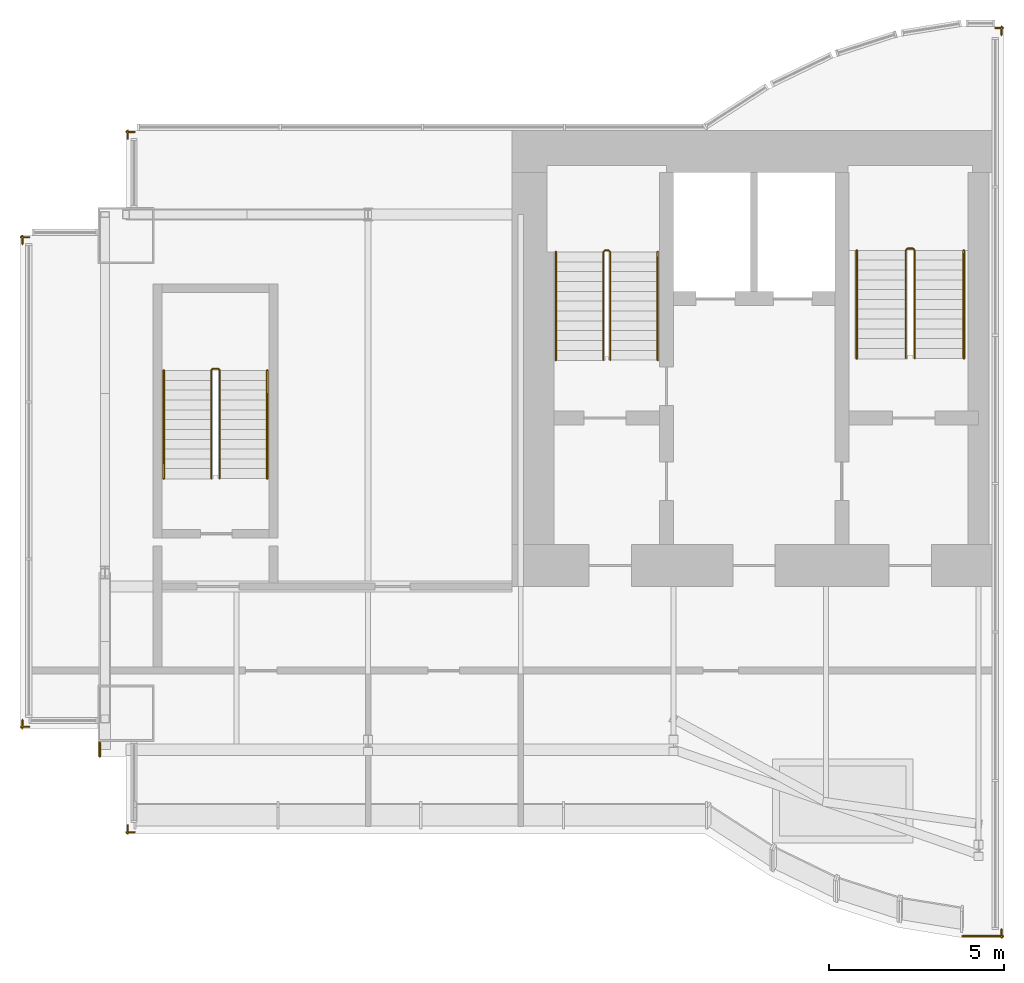
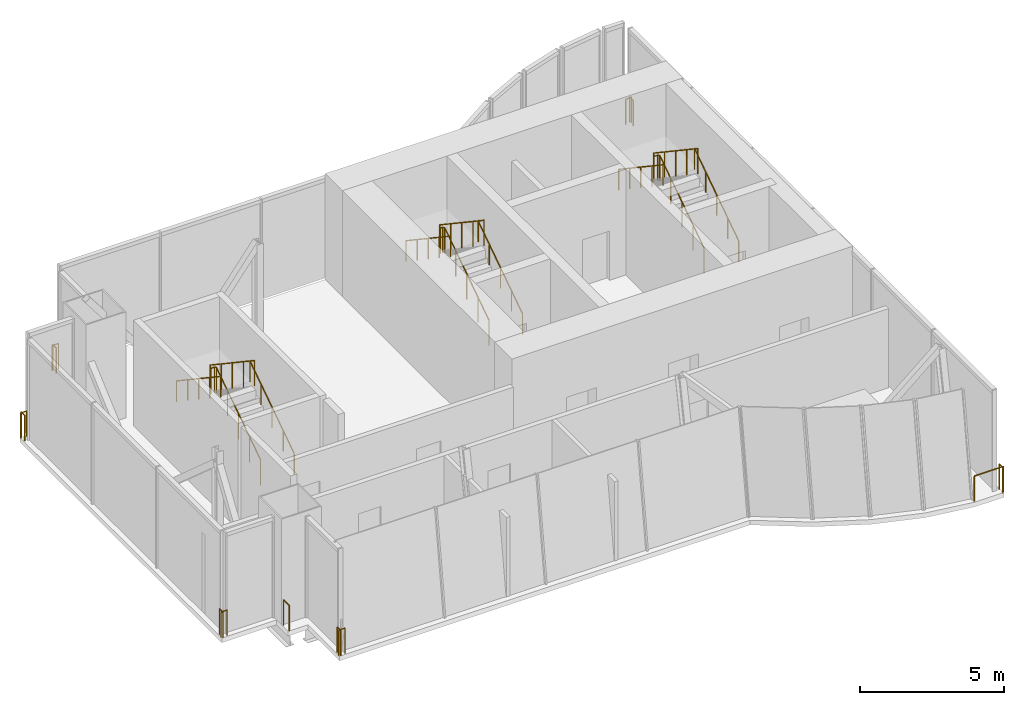
# One storey, part 5 of 6: 16 railings.
"""IFC4 building model written with IfcOpenShell, lengths in metres."""

from ifc_helpers import new_model, si_unit, direction, frame, origin, origin_2d, place, context, subcontext, project, spatial, circle, extrude, material, type_object, element, save


model = new_model("IFC4")

# Units and contexts
model_context = context("Model", 3, precision=1e-05, world=origin(), true_north=direction((0.0, 1.0)))
body_context = subcontext(model_context, "Body", "Model", "MODEL_VIEW")
ifc_project = project(units=[si_unit("LENGTHUNIT", "METRE"), si_unit("AREAUNIT", "SQUARE_METRE"), si_unit("VOLUMEUNIT", "CUBIC_METRE"), si_unit("PLANEANGLEUNIT", "RADIAN"), si_unit("MASSUNIT", "GRAM", prefix="KILO")], contexts=[model_context])

# Site, building, storey
site_placement = place(None, origin())
site = spatial("IfcSite", under=ifc_project, at=site_placement, CompositionType="ELEMENT")
building_placement = place(site_placement, origin())
building = spatial("IfcBuilding", under=site, at=building_placement, Name="Bicima Exchange Tower", CompositionType="ELEMENT")
storey_placement = place(building_placement, frame((0.0, 0.0, 370.39990234375)))
storey = spatial("IfcBuildingStorey", under=building, at=storey_placement, Name="L83", CompositionType="ELEMENT", Elevation=370.39990234375)

# Railings
ifc_material_1 = material(Name="Stainless steel and bonded safety glass", Category="steel")
railing_type_1 = type_object("IfcRailingType", Name="Edge guard 1100", PredefinedType="GUARDRAIL", material=ifc_material_1)
railing_1_placement = place(storey_placement, frame((-35.756103515625, -17.0, 0.0)))
element("IfcRailing", 1, at=railing_1_placement, inside=storey, type_object=railing_type_1, Name="Edge guard L83 459", PredefinedType="GUARDRAIL", context=body_context, shape_type="SweptSolid", body=[
    extrude(circle(Radius=0.02392578125, at=origin_2d()), frame((0.0, 0.0, 1.076171875), z_axis=(-1.0, 0.0, 0.0), x_axis=(0.0, -1.0, 0.0)), (0.0, 0.0, 1.0), 0.243896484375),
    extrude(circle(Radius=0.02392578125, at=origin_2d()), frame((-0.243896484375, 0.0, 1.076171875), z_axis=(0.707106781187, -0.707106781187, 0.0), x_axis=(0.707106781187, 0.707106781187, 0.0)), (0.0, 0.0, 1.0), 0.07080078125),
    extrude(circle(Radius=0.02392578125, at=origin_2d()), frame((-0.19384765625, -0.050048828125, 1.076171875), z_axis=(0.0, 1.0, 0.0), x_axis=(-1.0, 0.0, 0.0)), (0.0, 0.0, 1.0), 0.2470703125),
    extrude(circle(Radius=0.02099609375, at=origin_2d()), origin(), (0.0, 0.0, 1.0), 1.052001953125),
    extrude(circle(Radius=0.02099609375, at=origin_2d()), frame((-0.243896484375, 0.0, 0.0)), (0.0, 0.0, 1.0), 1.052001953125),
    extrude(circle(Radius=0.02099609375, at=origin_2d()), frame((-0.19384765625, -0.050048828125, 0.0)), (0.0, 0.0, 1.0), 1.052001953125),
    extrude(circle(Radius=0.02099609375, at=origin_2d()), frame((-0.19384765625, 0.197021484375, 0.0)), (0.0, 0.0, 1.0), 1.052001953125),
])
railing_2_placement = place(storey_placement, frame((-35.949951171875, -3.24609375, 0.0)))
element("IfcRailing", 2, at=railing_2_placement, inside=storey, type_object=railing_type_1, Name="Edge guard L83 460", PredefinedType="GUARDRAIL", context=body_context, shape_type="SweptSolid", body=[
    extrude(circle(Radius=0.02392578125, at=origin_2d()), frame((0.0, 0.0, 1.076171875), z_axis=(0.0, 1.0, 0.0), x_axis=(-1.0, 0.0, 0.0)), (0.0, 0.0, 1.0), 0.24609375),
    extrude(circle(Radius=0.02392578125, at=origin_2d()), frame((0.0, 0.24609375, 1.076171875), z_axis=(-0.707106781187, -0.707106781187, 0.0), x_axis=(0.707106781187, -0.707106781187, 0.0)), (0.0, 0.0, 1.0), 0.07080078125),
    extrude(circle(Radius=0.02392578125, at=origin_2d()), frame((-0.050048828125, 0.196044921875, 1.076171875), z_axis=(1.0, 0.0, 0.0), x_axis=(0.0, 1.0, 0.0)), (0.0, 0.0, 1.0), 0.243896484375),
    extrude(circle(Radius=0.02099609375, at=origin_2d()), origin(), (0.0, 0.0, 1.0), 1.052001953125),
    extrude(circle(Radius=0.02099609375, at=origin_2d()), frame((0.0, 0.24609375, 0.0)), (0.0, 0.0, 1.0), 1.052001953125),
    extrude(circle(Radius=0.02099609375, at=origin_2d()), frame((-0.050048828125, 0.196044921875, 0.0)), (0.0, 0.0, 1.0), 1.052001953125),
    extrude(circle(Radius=0.02099609375, at=origin_2d()), frame((0.19384765625, 0.196044921875, 0.0)), (0.0, 0.0, 1.0), 1.052001953125),
])
railing_3_placement = place(storey_placement, frame((-32.949951171875, -0.243896484375, 0.0)))
element("IfcRailing", 3, at=railing_3_placement, inside=storey, type_object=railing_type_1, Name="Edge guard L83 461", PredefinedType="GUARDRAIL", context=body_context, shape_type="SweptSolid", body=[
    extrude(circle(Radius=0.02392578125, at=origin_2d()), frame((0.0, 0.0, 1.076171875), z_axis=(0.0, 1.0, 0.0), x_axis=(-1.0, 0.0, 0.0)), (0.0, 0.0, 1.0), 0.243896484375),
    extrude(circle(Radius=0.02392578125, at=origin_2d()), frame((0.0, 0.243896484375, 1.076171875), z_axis=(-0.707106781187, -0.707106781187, 0.0), x_axis=(0.707106781187, -0.707106781187, 0.0)), (0.0, 0.0, 1.0), 0.07080078125),
    extrude(circle(Radius=0.02392578125, at=origin_2d()), frame((-0.050048828125, 0.19384765625, 1.076171875), z_axis=(1.0, 0.0, 0.0), x_axis=(0.0, 1.0, 0.0)), (0.0, 0.0, 1.0), 0.25),
    extrude(circle(Radius=0.02099609375, at=origin_2d()), origin(), (0.0, 0.0, 1.0), 1.052001953125),
    extrude(circle(Radius=0.02099609375, at=origin_2d()), frame((0.0, 0.243896484375, 0.0)), (0.0, 0.0, 1.0), 1.052001953125),
    extrude(circle(Radius=0.02099609375, at=origin_2d()), frame((-0.050048828125, 0.19384765625, 0.0)), (0.0, 0.0, 1.0), 1.052001953125),
    extrude(circle(Radius=0.02099609375, at=origin_2d()), frame((0.199951171875, 0.19384765625, 0.0)), (0.0, 0.0, 1.0), 1.052001953125),
])
railing_4_placement = place(storey_placement, frame((-8.23291015625, 2.9130859375, 0.0)))
element("IfcRailing", 4, at=railing_4_placement, inside=storey, type_object=railing_type_1, Name="Edge guard L83 462", PredefinedType="GUARDRAIL", context=body_context, shape_type="SweptSolid", body=[
    extrude(circle(Radius=0.02392578125, at=origin_2d()), frame((0.0, 0.0, 1.076171875), z_axis=(1.0, 0.0, 0.0), x_axis=(0.0, 1.0, 0.0)), (0.0, 0.0, 1.0), 0.23291015625),
    extrude(circle(Radius=0.02392578125, at=origin_2d()), frame((0.23291015625, 0.0, 1.076171875), z_axis=(-0.708833529934, 0.705375805398, 0.0), x_axis=(-0.705375805398, -0.708833529934, 0.0)), (0.0, 0.0, 1.0), 0.070556640625),
    extrude(circle(Radius=0.02392578125, at=origin_2d()), frame((0.182861328125, 0.0498046875, 1.076171875), z_axis=(0.0, -1.0, 0.0), x_axis=(1.0, 0.0, 0.0)), (0.0, 0.0, 1.0), 0.25),
    extrude(circle(Radius=0.02099609375, at=origin_2d()), origin(), (0.0, 0.0, 1.0), 1.052001953125),
    extrude(circle(Radius=0.02099609375, at=origin_2d()), frame((0.23291015625, 0.0, 0.0)), (0.0, 0.0, 1.0), 1.052001953125),
    extrude(circle(Radius=0.02099609375, at=origin_2d()), frame((0.182861328125, 0.0498046875, 0.0)), (0.0, 0.0, 1.0), 1.052001953125),
    extrude(circle(Radius=0.02099609375, at=origin_2d()), frame((0.182861328125, -0.2001953125, 0.0)), (0.0, 0.0, 1.0), 1.052001953125),
])
railing_5_placement = place(storey_placement, frame((-8.050048828125, -22.762939453125, 0.0)))
element("IfcRailing", 5, at=railing_5_placement, inside=storey, type_object=railing_type_1, Name="Edge guard L83 463", PredefinedType="GUARDRAIL", context=body_context, shape_type="SweptSolid", body=[
    extrude(circle(Radius=0.02392578125, at=origin_2d()), frame((0.0, 0.0, 1.076171875), z_axis=(0.0, -1.0, 0.0), x_axis=(1.0, 0.0, 0.0)), (0.0, 0.0, 1.0), 0.25),
    extrude(circle(Radius=0.02392578125, at=origin_2d()), frame((0.0, -0.25, 1.076171875), z_axis=(0.707106781187, 0.707106781187, 0.0), x_axis=(-0.707106781187, 0.707106781187, 0.0)), (0.0, 0.0, 1.0), 0.07080078125),
    extrude(circle(Radius=0.02392578125, at=origin_2d()), frame((0.050048828125, -0.199951171875, 1.076171875), z_axis=(-1.0, 0.0, 0.0), x_axis=(0.0, -1.0, 0.0)), (0.0, 0.0, 1.0), 1.1669921875),
    extrude(circle(Radius=0.02099609375, at=origin_2d()), origin(), (0.0, 0.0, 1.0), 1.052001953125),
    extrude(circle(Radius=0.02099609375, at=origin_2d()), frame((0.0, -0.25, 0.0)), (0.0, 0.0, 1.0), 1.052001953125),
    extrude(circle(Radius=0.02099609375, at=origin_2d()), frame((0.050048828125, -0.199951171875, 0.0)), (0.0, 0.0, 1.0), 1.052001953125),
    extrude(circle(Radius=0.02099609375, at=origin_2d()), frame((-1.116943359375, -0.199951171875, 0.0)), (0.0, 0.0, 1.0), 1.052001953125),
])
railing_6_placement = place(storey_placement, frame((-32.75, -20.0, 0.0)))
element("IfcRailing", 6, at=railing_6_placement, inside=storey, type_object=railing_type_1, Name="Edge guard L83 464", PredefinedType="GUARDRAIL", context=body_context, shape_type="SweptSolid", body=[
    extrude(circle(Radius=0.02392578125, at=origin_2d()), frame((0.0, 0.0, 1.076171875), z_axis=(-1.0, 0.0, 0.0), x_axis=(0.0, -1.0, 0.0)), (0.0, 0.0, 1.0), 0.25),
    extrude(circle(Radius=0.02392578125, at=origin_2d()), frame((-0.25, 0.0, 1.076171875), z_axis=(0.707106781187, -0.707106781187, 0.0), x_axis=(0.707106781187, 0.707106781187, 0.0)), (0.0, 0.0, 1.0), 0.07080078125),
    extrude(circle(Radius=0.02392578125, at=origin_2d()), frame((-0.199951171875, -0.050048828125, 1.076171875), z_axis=(0.0, 1.0, 0.0), x_axis=(-1.0, 0.0, 0.0)), (0.0, 0.0, 1.0), 0.2451171875),
    extrude(circle(Radius=0.02099609375, at=origin_2d()), origin(), (0.0, 0.0, 1.0), 1.052001953125),
    extrude(circle(Radius=0.02099609375, at=origin_2d()), frame((-0.25, 0.0, 0.0)), (0.0, 0.0, 1.0), 1.052001953125),
    extrude(circle(Radius=0.02099609375, at=origin_2d()), frame((-0.199951171875, -0.050048828125, 0.0)), (0.0, 0.0, 1.0), 1.052001953125),
    extrude(circle(Radius=0.02099609375, at=origin_2d()), frame((-0.199951171875, 0.195068359375, 0.0)), (0.0, 0.0, 1.0), 1.052001953125),
])
railing_7_placement = place(storey_placement, frame((-33.75, -17.85009765625, 0.0)))
element("IfcRailing", 7, at=railing_7_placement, inside=storey, type_object=railing_type_1, Name="Edge guard L83 465", PredefinedType="GUARDRAIL", context=body_context, shape_type="SweptSolid", body=[
    extrude(circle(Radius=0.02392578125, at=origin_2d()), frame((0.0, 0.0, 1.076171875), z_axis=(0.0, 1.0, 0.0), x_axis=(-1.0, 0.0, 0.0)), (0.0, 0.0, 1.0), 0.400146484375),
    extrude(circle(Radius=0.02099609375, at=origin_2d()), origin(), (0.0, 0.0, 1.0), 1.052001953125),
    extrude(circle(Radius=0.02099609375, at=origin_2d()), frame((0.0, 0.400146484375, 0.0)), (0.0, 0.0, 1.0), 1.052001953125),
])
ifc_material_2 = material(Name="Stainless steel", Category="steel")
railing_type_2 = type_object("IfcRailingType", Name="Stair guard 1100", PredefinedType="GUARDRAIL", material=ifc_material_2)
railing_8_placement = place(storey_placement, frame((-19.199951171875, -6.550048828125, 0.1875)))
element("IfcRailing", 8, at=railing_8_placement, inside=storey, type_object=railing_type_2, Name="L83 ST-W stair guard 1", PredefinedType="GUARDRAIL", context=body_context, shape_type="SweptSolid", body=[
    extrude(circle(Radius=0.02392578125, at=origin_2d()), frame((0.0, 0.0, 1.076171875), z_axis=(0.0, 0.830913701846, 0.55640131208), x_axis=(-1.0, 0.0, 0.0)), (0.0, 0.0, 1.0), 3.706787109375),
    extrude(circle(Radius=0.02392578125, at=origin_2d()), frame((0.0, 3.080078125, 3.138671875), z_axis=(-0.707106781187, 0.707106781187, 0.0), x_axis=(-0.707106781187, -0.707106781187, 0.0)), (0.0, 0.0, 1.0), 0.07080078125),
    extrude(circle(Radius=0.02392578125, at=origin_2d()), frame((-0.050048828125, 3.130126953125, 3.138671875), z_axis=(-1.0, 0.0, 0.0), x_axis=(0.0, -1.0, 0.0)), (0.0, 0.0, 1.0), 0.10009765625),
    extrude(circle(Radius=0.02392578125, at=origin_2d()), frame((-0.150146484375, 3.130126953125, 3.138671875), z_axis=(-0.248583702486, -0.249802250048, 0.935844527007), x_axis=(0.708833529934, -0.705375805398, 0.0)), (0.0, 0.0, 1.0), 0.200439453125),
    extrude(circle(Radius=0.02392578125, at=origin_2d()), frame((-0.199951171875, 3.080078125, 3.326171875), z_axis=(0.0, -0.830913701846, 0.55640131208), x_axis=(1.0, 0.0, 0.0)), (0.0, 0.0, 1.0), 3.706787109375),
    extrude(circle(Radius=0.02099609375, at=origin_2d()), origin(), (0.0, 0.0, 1.0), 1.052001953125),
    extrude(circle(Radius=0.02099609375, at=origin_2d()), frame((0.0, 0.77001953125, 0.515625)), (0.0, 0.0, 1.0), 1.052001953125),
    extrude(circle(Radius=0.02099609375, at=origin_2d()), frame((0.0, 1.5400390625, 1.03125)), (0.0, 0.0, 1.0), 1.052001953125),
    extrude(circle(Radius=0.02099609375, at=origin_2d()), frame((0.0, 2.31005859375, 1.546875)), (0.0, 0.0, 1.0), 1.052001953125),
    extrude(circle(Radius=0.02099609375, at=origin_2d()), frame((0.0, 3.080078125, 2.0625)), (0.0, 0.0, 1.0), 1.052001953125),
    extrude(circle(Radius=0.02099609375, at=origin_2d()), frame((-0.050048828125, 3.130126953125, 2.0625)), (0.0, 0.0, 1.0), 1.052001953125),
    extrude(circle(Radius=0.02099609375, at=origin_2d()), frame((-0.150146484375, 3.130126953125, 2.0625)), (0.0, 0.0, 1.0), 1.052001953125),
    extrude(circle(Radius=0.02099609375, at=origin_2d()), frame((-0.199951171875, 3.080078125, 2.25)), (0.0, 0.0, 1.0), 1.052001953125),
    extrude(circle(Radius=0.02099609375, at=origin_2d()), frame((-0.199951171875, 2.31005859375, 2.765625)), (0.0, 0.0, 1.0), 1.052001953125),
    extrude(circle(Radius=0.02099609375, at=origin_2d()), frame((-0.199951171875, 1.5400390625, 3.28125)), (0.0, 0.0, 1.0), 1.052001953125),
    extrude(circle(Radius=0.02099609375, at=origin_2d()), frame((-0.199951171875, 0.77001953125, 3.796875)), (0.0, 0.0, 1.0), 1.052001953125),
    extrude(circle(Radius=0.02099609375, at=origin_2d()), frame((-0.199951171875, 0.0, 4.3125)), (0.0, 0.0, 1.0), 1.052001953125),
])
railing_9_placement = place(storey_placement, frame((-10.52490234375, -6.5, 0.1875)))
element("IfcRailing", 9, at=railing_9_placement, inside=storey, type_object=railing_type_2, Name="L83 ST-CR stair guard 1", PredefinedType="GUARDRAIL", context=body_context, shape_type="SweptSolid", body=[
    extrude(circle(Radius=0.02392578125, at=origin_2d()), frame((0.0, 0.0, 1.076171875), z_axis=(0.0, 0.830913701846, 0.55640131208), x_axis=(-1.0, 0.0, 0.0)), (0.0, 0.0, 1.0), 3.706787109375),
    extrude(circle(Radius=0.02392578125, at=origin_2d()), frame((0.0, 3.080078125, 3.138671875), z_axis=(-0.708833529934, 0.705375805398, 0.0), x_axis=(-0.705375805398, -0.708833529934, 0.0)), (0.0, 0.0, 1.0), 0.070556640625),
    extrude(circle(Radius=0.02392578125, at=origin_2d()), frame((-0.050048828125, 3.1298828125, 3.138671875), z_axis=(-1.0, 0.0, 0.0), x_axis=(0.0, -1.0, 0.0)), (0.0, 0.0, 1.0), 0.150146484375),
    extrude(circle(Radius=0.02392578125, at=origin_2d()), frame((-0.2001953125, 3.1298828125, 3.138671875), z_axis=(-0.248659220195, -0.248659220195, 0.936128828968), x_axis=(0.707106781187, -0.707106781187, 0.0)), (0.0, 0.0, 1.0), 0.2001953125),
    extrude(circle(Radius=0.02392578125, at=origin_2d()), frame((-0.25, 3.080078125, 3.326171875), z_axis=(0.0, -0.830913701846, 0.55640131208), x_axis=(1.0, 0.0, 0.0)), (0.0, 0.0, 1.0), 3.706787109375),
    extrude(circle(Radius=0.02099609375, at=origin_2d()), origin(), (0.0, 0.0, 1.0), 1.052001953125),
    extrude(circle(Radius=0.02099609375, at=origin_2d()), frame((0.0, 0.77001953125, 0.515625)), (0.0, 0.0, 1.0), 1.052001953125),
    extrude(circle(Radius=0.02099609375, at=origin_2d()), frame((0.0, 1.5400390625, 1.03125)), (0.0, 0.0, 1.0), 1.052001953125),
    extrude(circle(Radius=0.02099609375, at=origin_2d()), frame((0.0, 2.31005859375, 1.546875)), (0.0, 0.0, 1.0), 1.052001953125),
    extrude(circle(Radius=0.02099609375, at=origin_2d()), frame((0.0, 3.080078125, 2.0625)), (0.0, 0.0, 1.0), 1.052001953125),
    extrude(circle(Radius=0.02099609375, at=origin_2d()), frame((-0.050048828125, 3.1298828125, 2.0625)), (0.0, 0.0, 1.0), 1.052001953125),
    extrude(circle(Radius=0.02099609375, at=origin_2d()), frame((-0.2001953125, 3.1298828125, 2.0625)), (0.0, 0.0, 1.0), 1.052001953125),
    extrude(circle(Radius=0.02099609375, at=origin_2d()), frame((-0.25, 3.080078125, 2.25)), (0.0, 0.0, 1.0), 1.052001953125),
    extrude(circle(Radius=0.02099609375, at=origin_2d()), frame((-0.25, 2.31005859375, 2.765625)), (0.0, 0.0, 1.0), 1.052001953125),
    extrude(circle(Radius=0.02099609375, at=origin_2d()), frame((-0.25, 1.5400390625, 3.28125)), (0.0, 0.0, 1.0), 1.052001953125),
    extrude(circle(Radius=0.02099609375, at=origin_2d()), frame((-0.25, 0.77001953125, 3.796875)), (0.0, 0.0, 1.0), 1.052001953125),
    extrude(circle(Radius=0.02099609375, at=origin_2d()), frame((-0.25, 0.0, 4.3125)), (0.0, 0.0, 1.0), 1.052001953125),
])
railing_10_placement = place(storey_placement, frame((-30.324951171875, -9.925048828125, 0.1875)))
element("IfcRailing", 10, at=railing_10_placement, inside=storey, type_object=railing_type_2, Name="L83 ST-WW stair guard 1", PredefinedType="GUARDRAIL", context=body_context, shape_type="SweptSolid", body=[
    extrude(circle(Radius=0.02392578125, at=origin_2d()), frame((0.0, 0.0, 1.076171875), z_axis=(0.0, 0.830913701846, 0.55640131208), x_axis=(-1.0, 0.0, 0.0)), (0.0, 0.0, 1.0), 3.706787109375),
    extrude(circle(Radius=0.02392578125, at=origin_2d()), frame((0.0, 3.080078125, 3.138671875), z_axis=(-0.707106781187, 0.707106781187, 0.0), x_axis=(-0.707106781187, -0.707106781187, 0.0)), (0.0, 0.0, 1.0), 0.07080078125),
    extrude(circle(Radius=0.02392578125, at=origin_2d()), frame((-0.050048828125, 3.130126953125, 3.138671875), z_axis=(-1.0, 0.0, 0.0), x_axis=(0.0, -1.0, 0.0)), (0.0, 0.0, 1.0), 0.14990234375),
    extrude(circle(Radius=0.02392578125, at=origin_2d()), frame((-0.199951171875, 3.130126953125, 3.138671875), z_axis=(-0.249726431254, -0.249726431254, 0.935560483917), x_axis=(0.707106781187, -0.707106781187, 0.0)), (0.0, 0.0, 1.0), 0.200439453125),
    extrude(circle(Radius=0.02392578125, at=origin_2d()), frame((-0.25, 3.080078125, 3.326171875), z_axis=(0.0, -0.830913701846, 0.55640131208), x_axis=(1.0, 0.0, 0.0)), (0.0, 0.0, 1.0), 3.706787109375),
    extrude(circle(Radius=0.02099609375, at=origin_2d()), origin(), (0.0, 0.0, 1.0), 1.052001953125),
    extrude(circle(Radius=0.02099609375, at=origin_2d()), frame((0.0, 0.77001953125, 0.515625)), (0.0, 0.0, 1.0), 1.052001953125),
    extrude(circle(Radius=0.02099609375, at=origin_2d()), frame((0.0, 1.5400390625, 1.03125)), (0.0, 0.0, 1.0), 1.052001953125),
    extrude(circle(Radius=0.02099609375, at=origin_2d()), frame((0.0, 2.31005859375, 1.546875)), (0.0, 0.0, 1.0), 1.052001953125),
    extrude(circle(Radius=0.02099609375, at=origin_2d()), frame((0.0, 3.080078125, 2.0625)), (0.0, 0.0, 1.0), 1.052001953125),
    extrude(circle(Radius=0.02099609375, at=origin_2d()), frame((-0.050048828125, 3.130126953125, 2.0625)), (0.0, 0.0, 1.0), 1.052001953125),
    extrude(circle(Radius=0.02099609375, at=origin_2d()), frame((-0.199951171875, 3.130126953125, 2.0625)), (0.0, 0.0, 1.0), 1.052001953125),
    extrude(circle(Radius=0.02099609375, at=origin_2d()), frame((-0.25, 3.080078125, 2.25)), (0.0, 0.0, 1.0), 1.052001953125),
    extrude(circle(Radius=0.02099609375, at=origin_2d()), frame((-0.25, 2.31005859375, 2.765625)), (0.0, 0.0, 1.0), 1.052001953125),
    extrude(circle(Radius=0.02099609375, at=origin_2d()), frame((-0.25, 1.5400390625, 3.28125)), (0.0, 0.0, 1.0), 1.052001953125),
    extrude(circle(Radius=0.02099609375, at=origin_2d()), frame((-0.25, 0.77001953125, 3.796875)), (0.0, 0.0, 1.0), 1.052001953125),
    extrude(circle(Radius=0.02099609375, at=origin_2d()), frame((-0.25, 0.0, 4.3125)), (0.0, 0.0, 1.0), 1.052001953125),
])
railing_type_3 = type_object("IfcRailingType", Name="Stair handrail 900", PredefinedType="HANDRAIL", material=ifc_material_2)
railing_11_placement = place(storey_placement, frame((-17.85009765625, -6.550048828125, 0.1875)))
element("IfcRailing", 11, at=railing_11_placement, inside=storey, type_object=railing_type_3, Name="L83 ST-W stair handrail 1", PredefinedType="HANDRAIL", context=body_context, shape_type="SweptSolid", body=[
    extrude(circle(Radius=0.02392578125, at=origin_2d()), frame((0.0, 0.0, 0.8759765625), z_axis=(0.0, 0.830913701846, 0.55640131208), x_axis=(-1.0, 0.0, 0.0)), (0.0, 0.0, 1.0), 3.706787109375),
    extrude(circle(Radius=0.02099609375, at=origin_2d()), origin(), (0.0, 0.0, 1.0), 0.851806640625),
    extrude(circle(Radius=0.02099609375, at=origin_2d()), frame((0.0, 0.77001953125, 0.515625)), (0.0, 0.0, 1.0), 0.851806640625),
    extrude(circle(Radius=0.02099609375, at=origin_2d()), frame((0.0, 1.5400390625, 1.03125)), (0.0, 0.0, 1.0), 0.851806640625),
    extrude(circle(Radius=0.02099609375, at=origin_2d()), frame((0.0, 2.31005859375, 1.546875)), (0.0, 0.0, 1.0), 0.851806640625),
    extrude(circle(Radius=0.02099609375, at=origin_2d()), frame((0.0, 3.080078125, 2.0625)), (0.0, 0.0, 1.0), 0.851806640625),
])
railing_12_placement = place(storey_placement, frame((-20.75, -3.469970703125, 2.4375)))
element("IfcRailing", 12, at=railing_12_placement, inside=storey, type_object=railing_type_3, Name="L83 ST-W stair handrail 2", PredefinedType="HANDRAIL", context=body_context, shape_type="SweptSolid", body=[
    extrude(circle(Radius=0.02392578125, at=origin_2d()), frame((0.0, 0.0, 0.8759765625), z_axis=(0.0, -0.830913701846, 0.55640131208), x_axis=(1.0, 0.0, 0.0)), (0.0, 0.0, 1.0), 3.706787109375),
    extrude(circle(Radius=0.02099609375, at=origin_2d()), origin(), (0.0, 0.0, 1.0), 0.851806640625),
    extrude(circle(Radius=0.02099609375, at=origin_2d()), frame((0.0, -0.77001953125, 0.515625)), (0.0, 0.0, 1.0), 0.851806640625),
    extrude(circle(Radius=0.02099609375, at=origin_2d()), frame((0.0, -1.5400390625, 1.03125)), (0.0, 0.0, 1.0), 0.851806640625),
    extrude(circle(Radius=0.02099609375, at=origin_2d()), frame((0.0, -2.31005859375, 1.546875)), (0.0, 0.0, 1.0), 0.851806640625),
    extrude(circle(Radius=0.02099609375, at=origin_2d()), frame((0.0, -3.080078125, 2.0625)), (0.0, 0.0, 1.0), 0.851806640625),
])
railing_13_placement = place(storey_placement, frame((-9.125, -6.5, 0.1875)))
element("IfcRailing", 13, at=railing_13_placement, inside=storey, type_object=railing_type_3, Name="L83 ST-CR stair handrail 1", PredefinedType="HANDRAIL", context=body_context, shape_type="SweptSolid", body=[
    extrude(circle(Radius=0.02392578125, at=origin_2d()), frame((0.0, 0.0, 0.8759765625), z_axis=(0.0, 0.830913701846, 0.55640131208), x_axis=(-1.0, 0.0, 0.0)), (0.0, 0.0, 1.0), 3.706787109375),
    extrude(circle(Radius=0.02099609375, at=origin_2d()), origin(), (0.0, 0.0, 1.0), 0.851806640625),
    extrude(circle(Radius=0.02099609375, at=origin_2d()), frame((0.0, 0.77001953125, 0.515625)), (0.0, 0.0, 1.0), 0.851806640625),
    extrude(circle(Radius=0.02099609375, at=origin_2d()), frame((0.0, 1.5400390625, 1.03125)), (0.0, 0.0, 1.0), 0.851806640625),
    extrude(circle(Radius=0.02099609375, at=origin_2d()), frame((0.0, 2.31005859375, 1.546875)), (0.0, 0.0, 1.0), 0.851806640625),
    extrude(circle(Radius=0.02099609375, at=origin_2d()), frame((0.0, 3.080078125, 2.0625)), (0.0, 0.0, 1.0), 0.851806640625),
])
railing_14_placement = place(storey_placement, frame((-12.175048828125, -3.419921875, 2.4375)))
element("IfcRailing", 14, at=railing_14_placement, inside=storey, type_object=railing_type_3, Name="L83 ST-CR stair handrail 2", PredefinedType="HANDRAIL", context=body_context, shape_type="SweptSolid", body=[
    extrude(circle(Radius=0.02392578125, at=origin_2d()), frame((0.0, 0.0, 0.8759765625), z_axis=(0.0, -0.830913701846, 0.55640131208), x_axis=(1.0, 0.0, 0.0)), (0.0, 0.0, 1.0), 3.706787109375),
    extrude(circle(Radius=0.02099609375, at=origin_2d()), origin(), (0.0, 0.0, 1.0), 0.851806640625),
    extrude(circle(Radius=0.02099609375, at=origin_2d()), frame((0.0, -0.77001953125, 0.515625)), (0.0, 0.0, 1.0), 0.851806640625),
    extrude(circle(Radius=0.02099609375, at=origin_2d()), frame((0.0, -1.5400390625, 1.03125)), (0.0, 0.0, 1.0), 0.851806640625),
    extrude(circle(Radius=0.02099609375, at=origin_2d()), frame((0.0, -2.31005859375, 1.546875)), (0.0, 0.0, 1.0), 0.851806640625),
    extrude(circle(Radius=0.02099609375, at=origin_2d()), frame((0.0, -3.080078125, 2.0625)), (0.0, 0.0, 1.0), 0.851806640625),
])
railing_15_placement = place(storey_placement, frame((-28.97509765625, -9.925048828125, 0.1875)))
element("IfcRailing", 15, at=railing_15_placement, inside=storey, type_object=railing_type_3, Name="L83 ST-WW stair handrail 1", PredefinedType="HANDRAIL", context=body_context, shape_type="SweptSolid", body=[
    extrude(circle(Radius=0.02392578125, at=origin_2d()), frame((0.0, 0.0, 0.8759765625), z_axis=(0.0, 0.830913701846, 0.55640131208), x_axis=(-1.0, 0.0, 0.0)), (0.0, 0.0, 1.0), 3.706787109375),
    extrude(circle(Radius=0.02099609375, at=origin_2d()), origin(), (0.0, 0.0, 1.0), 0.851806640625),
    extrude(circle(Radius=0.02099609375, at=origin_2d()), frame((0.0, 0.77001953125, 0.515625)), (0.0, 0.0, 1.0), 0.851806640625),
    extrude(circle(Radius=0.02099609375, at=origin_2d()), frame((0.0, 1.5400390625, 1.03125)), (0.0, 0.0, 1.0), 0.851806640625),
    extrude(circle(Radius=0.02099609375, at=origin_2d()), frame((0.0, 2.31005859375, 1.546875)), (0.0, 0.0, 1.0), 0.851806640625),
    extrude(circle(Radius=0.02099609375, at=origin_2d()), frame((0.0, 3.080078125, 2.0625)), (0.0, 0.0, 1.0), 0.851806640625),
])
railing_16_placement = place(storey_placement, frame((-31.925048828125, -6.844970703125, 2.4375)))
element("IfcRailing", 16, at=railing_16_placement, inside=storey, type_object=railing_type_3, Name="L83 ST-WW stair handrail 2", PredefinedType="HANDRAIL", context=body_context, shape_type="SweptSolid", body=[
    extrude(circle(Radius=0.02392578125, at=origin_2d()), frame((0.0, 0.0, 0.8759765625), z_axis=(0.0, -0.830913701846, 0.55640131208), x_axis=(1.0, 0.0, 0.0)), (0.0, 0.0, 1.0), 3.706787109375),
    extrude(circle(Radius=0.02099609375, at=origin_2d()), origin(), (0.0, 0.0, 1.0), 0.851806640625),
    extrude(circle(Radius=0.02099609375, at=origin_2d()), frame((0.0, -0.77001953125, 0.515625)), (0.0, 0.0, 1.0), 0.851806640625),
    extrude(circle(Radius=0.02099609375, at=origin_2d()), frame((0.0, -1.5400390625, 1.03125)), (0.0, 0.0, 1.0), 0.851806640625),
    extrude(circle(Radius=0.02099609375, at=origin_2d()), frame((0.0, -2.31005859375, 1.546875)), (0.0, 0.0, 1.0), 0.851806640625),
    extrude(circle(Radius=0.02099609375, at=origin_2d()), frame((0.0, -3.080078125, 2.0625)), (0.0, 0.0, 1.0), 0.851806640625),
])

save(model, "model.ifc")
